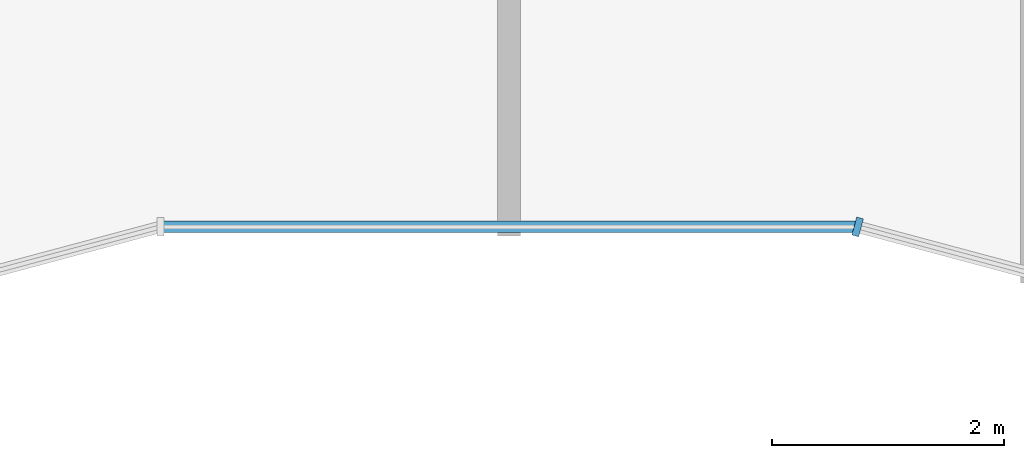
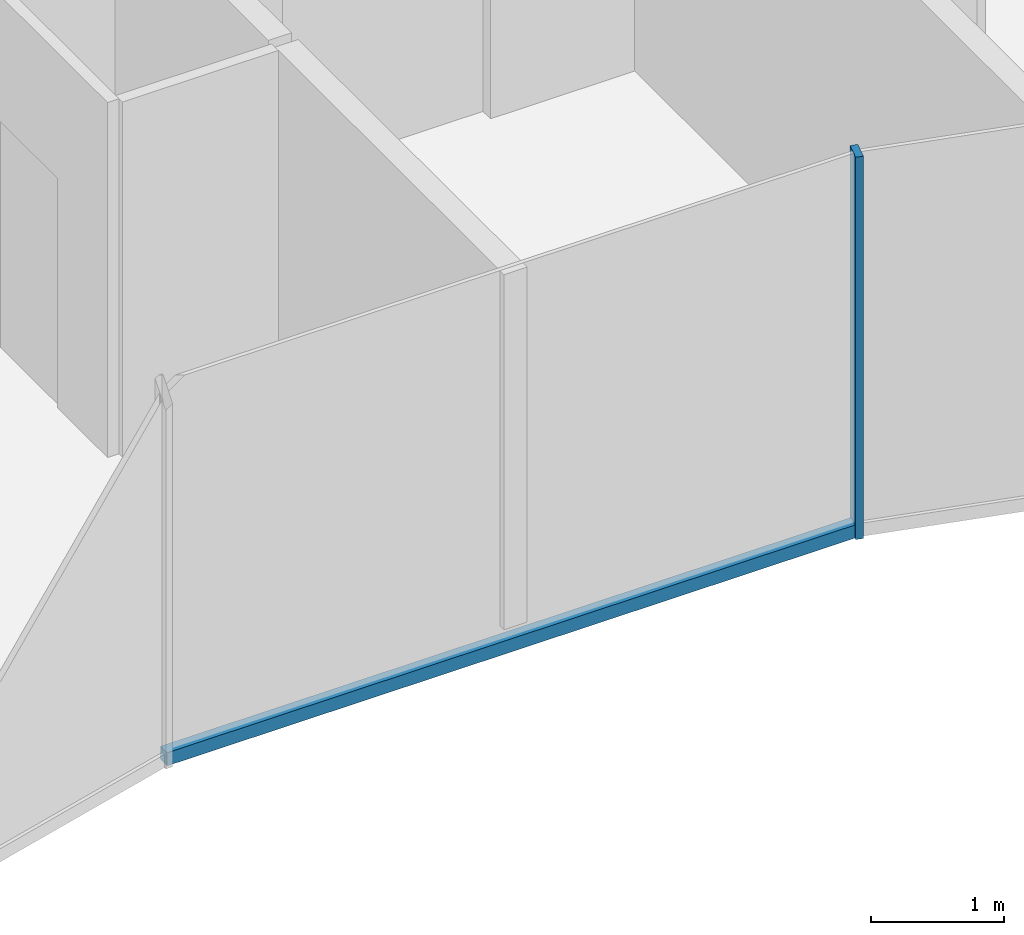
# One storey, part 3 of 15: 2 members, 2 elements without a shape of their own.
"""IFC4 building model written with IfcOpenShell, lengths in metres."""

from ifc_helpers import new_model, si_unit, direction, frame, origin, origin_2d, place, context, subcontext, project, spatial, rectangle, extrude, material, layer, layer_set, material_profile, profile_set, type_object, element, aggregate, save


model = new_model("IFC4")

# Units and contexts
model_context = context("Model", 3, precision=1e-05, world=origin(), true_north=direction((0.0, 1.0)))
body_context = subcontext(model_context, "Body", "Model", "MODEL_VIEW")
ifc_project = project(units=[si_unit("LENGTHUNIT", "METRE"), si_unit("AREAUNIT", "SQUARE_METRE"), si_unit("VOLUMEUNIT", "CUBIC_METRE"), si_unit("PLANEANGLEUNIT", "RADIAN"), si_unit("MASSUNIT", "GRAM", prefix="KILO")], contexts=[model_context])

# Site, building, storey
site_placement = place(None, origin())
site = spatial("IfcSite", under=ifc_project, at=site_placement, CompositionType="ELEMENT")
building_placement = place(site_placement, origin())
building = spatial("IfcBuilding", under=site, at=building_placement, Name="Plateau Cross Towers", CompositionType="ELEMENT")
storey_placement = place(building_placement, frame((0.0, 0.0, 197.89990234375)))
storey = spatial("IfcBuildingStorey", under=building, at=storey_placement, Name="L51", CompositionType="ELEMENT", Elevation=197.89990234375)

# Curtain wall, member
ifc_material_1 = material(Name="Dark low-iron glass", Category="glass")
ifc_layer = layer(ifc_material_1, 0.260009765625)
ifc_layer_set = layer_set([ifc_layer], Name="Dark low-iron glass")
curtain_wall_type = type_object("IfcCurtainWallType", Name="Curtain wall fluted unitised CW-A", PredefinedType="NOTDEFINED", material=ifc_layer_set)
curtain_wall_1_placement = place(storey_placement, origin())
curtain_wall_1 = element("IfcCurtainWall", 1, at=curtain_wall_1_placement, inside=storey, type_object=curtain_wall_type, Name="ENV/A/L51/A300_16", PredefinedType="NOTDEFINED")
ifc_material_2 = material(Name="Black anodised aluminium", Category="aluminium")
ifc_material_profile_1 = material_profile(ifc_material_2, rectangle(XDim=0.06005859375, YDim=0.159912109375, at=origin_2d()), Name="MULLION 60x160")
ifc_profile_set_1 = profile_set([ifc_material_profile_1], Name="Black anodised aluminium")
member_type_1 = type_object("IfcMemberType", Name="Mullion 60x160 fluted unitised", PredefinedType="MULLION", material=ifc_profile_set_1)
member_1_placement = place(storey_placement, frame((30.0, 1.60693359375, -0.25), z_axis=(0.0, 0.0, 1.0), x_axis=(0.965957983404, -0.258699003279, 0.0)))
member_1 = element("IfcMember", 2, at=member_1_placement, type_object=member_type_1, Name="CW-A mullion 1", PredefinedType="MULLION", context=body_context, shape_type="SweptSolid", body=[
    extrude(rectangle(XDim=0.06005859375, YDim=0.159912109375, at=origin_2d()), origin(), (0.0, 0.0, 1.0), 3.5),
])
aggregate(curtain_wall_1, [member_1])

curtain_wall_2_placement = place(storey_placement, origin())
curtain_wall_2 = element("IfcCurtainWall", 3, at=curtain_wall_2_placement, inside=storey, type_object=curtain_wall_type, Name="ENV/A/L51/A240_16", PredefinedType="NOTDEFINED")
ifc_material_profile_2 = material_profile(ifc_material_2, rectangle(XDim=0.10009765625, YDim=0.1201171875, at=origin_2d()), Name="TRANSOM 100x120")
ifc_profile_set_2 = profile_set([ifc_material_profile_2], Name="Black anodised aluminium")
member_type_2 = type_object("IfcMemberType", Name="Transom 100x120 fluted unitised", PredefinedType="USERDEFINED", material=ifc_profile_set_2)
member_2_placement = place(storey_placement, frame((24.0, 1.60693359375, -0.18994140625), z_axis=(1.0, 0.0, 0.0), x_axis=(0.0, 1.0, 0.0)))
member_2 = element("IfcMember", 4, at=member_2_placement, type_object=member_type_2, Name="CW-A transom", ObjectType="TRANSOM", PredefinedType="USERDEFINED", context=body_context, shape_type="SweptSolid", body=[
    extrude(rectangle(XDim=0.10009765625, YDim=0.1201171875, at=origin_2d()), origin(), (0.0, 0.0, 1.0), 6.0),
])
aggregate(curtain_wall_2, [member_2])

save(model, "model.ifc")
